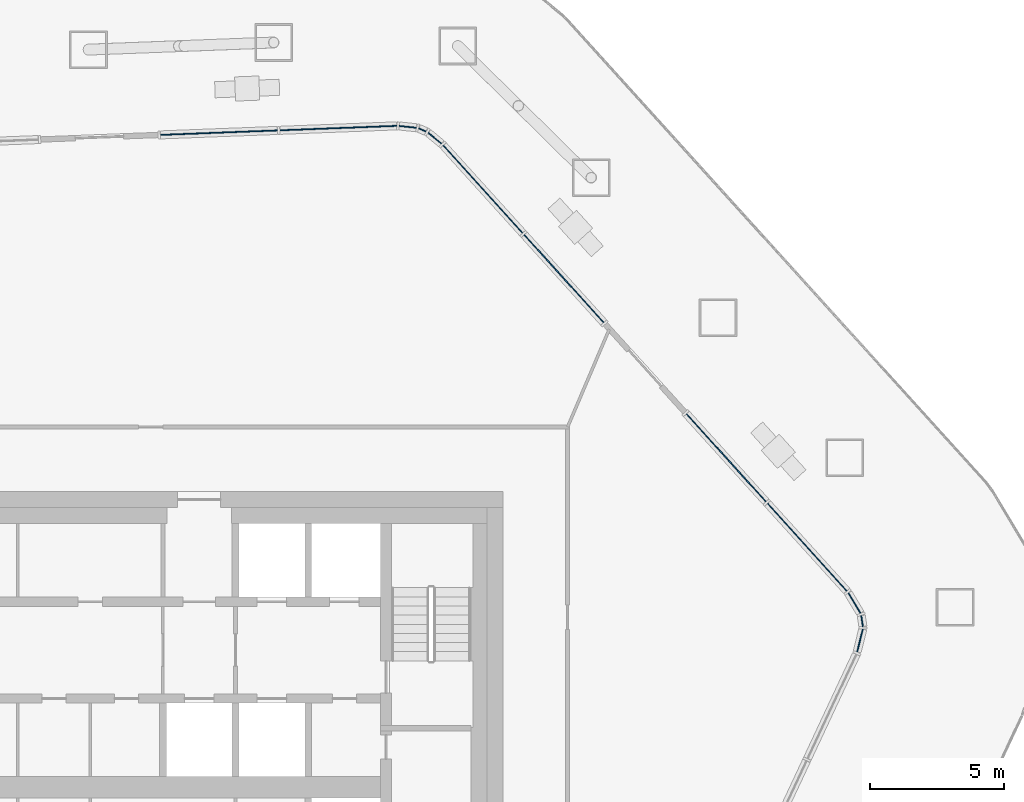
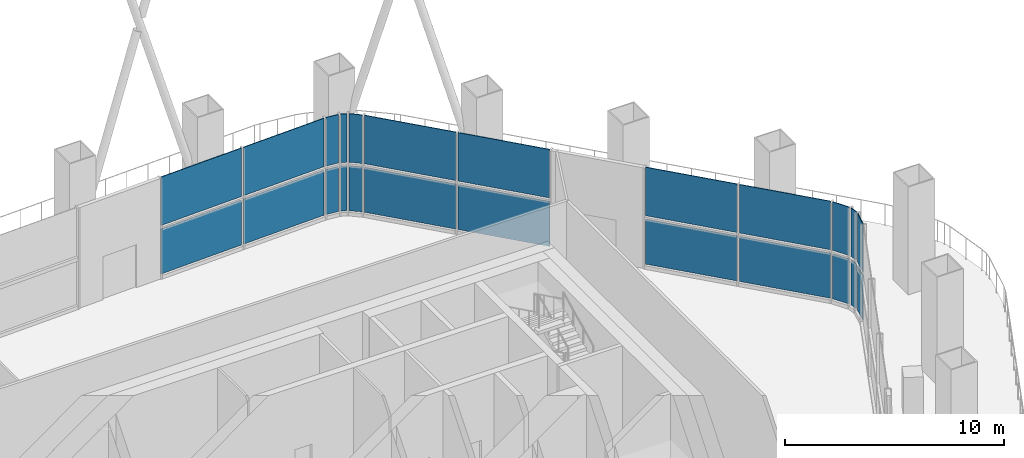
# One storey, part 11 of 20: 24 plates, 5 elements without a shape of their own.
"""IFC4 building model written with IfcOpenShell, lengths in metres."""

from ifc_helpers import new_model, si_unit, direction, frame, origin, origin_2d, place, context, subcontext, project, spatial, rectangle, extrude, material, layer, layer_set, type_object, element, aggregate, save


model = new_model("IFC4")

# Units and contexts
model_context = context("Model", 3, precision=1e-05, world=origin(), true_north=direction((0.0, 1.0)))
body_context = subcontext(model_context, "Body", "Model", "MODEL_VIEW")
ifc_project = project(units=[si_unit("LENGTHUNIT", "METRE"), si_unit("AREAUNIT", "SQUARE_METRE"), si_unit("VOLUMEUNIT", "CUBIC_METRE"), si_unit("PLANEANGLEUNIT", "RADIAN"), si_unit("MASSUNIT", "GRAM", prefix="KILO")], contexts=[model_context])

# Site, building, storey
site_placement = place(None, origin())
site = spatial("IfcSite", under=ifc_project, at=site_placement, CompositionType="ELEMENT")
building_placement = place(site_placement, origin())
building = spatial("IfcBuilding", under=site, at=building_placement, Name="Dongbaek Canopy Tower", CompositionType="ELEMENT")
storey_placement = place(building_placement, frame((0.0, 0.0, 353.0)))
storey = spatial("IfcBuildingStorey", under=building, at=storey_placement, Name="L76", CompositionType="ELEMENT", Elevation=353.0)

# Curtain wall, plates
ifc_material_1 = material(Name="Aluminium 6063-T6 pale anodised", Category="aluminium")
ifc_layer_1 = layer(ifc_material_1, 0.300048828125)
ifc_layer_set_1 = layer_set([ifc_layer_1], Name="CW-5 observation lounge curtain wall")
curtain_wall_type = type_object("IfcCurtainWallType", Name="CW-5 observation lounge curtain wall", PredefinedType="NOTDEFINED", material=ifc_layer_set_1)
curtain_wall_1_placement = place(storey_placement, origin())
curtain_wall_1 = element("IfcCurtainWall", 1, at=curtain_wall_1_placement, inside=storey, type_object=curtain_wall_type, Name="CW-5 curtain wall F0.1", PredefinedType="NOTDEFINED")
ifc_material_2 = material(Name="Clear laminated glass", Category="glass")
ifc_layer_2 = layer(ifc_material_2, 0.0400390625)
ifc_layer_set_2 = layer_set([ifc_layer_2], Name="CW-5 glazed panel 40")
plate_type = type_object("IfcPlateType", Name="CW-5 glazed panel 40", PredefinedType="CURTAIN_PANEL", material=ifc_layer_set_2)
plate_1_placement = place(storey_placement, frame((25.30712890625, 8.923828125, 0.199951171875), z_axis=(0.0, 0.0, 1.0), x_axis=(-0.671259709872, 0.741222235165, 0.0)))
plate_1 = element("IfcPlate", 2, at=plate_1_placement, type_object=plate_type, Name="CW-5 panel F0.1.1.1", PredefinedType="CURTAIN_PANEL", context=body_context, shape_type="SweptSolid", body=[
    extrude(rectangle(XDim=4.378662109375, YDim=0.0400390625, at=origin_2d()), origin(), (0.0, 0.0, 1.0), 2.5),
])
plate_2_placement = place(storey_placement, frame((25.30712890625, 8.923828125, 2.89990234375), z_axis=(0.0, 0.0, 1.0), x_axis=(-0.671259709872, 0.741222235165, 0.0)))
plate_2 = element("IfcPlate", 3, at=plate_2_placement, type_object=plate_type, Name="CW-5 panel F0.1.1.2", PredefinedType="CURTAIN_PANEL", context=body_context, shape_type="SweptSolid", body=[
    extrude(rectangle(XDim=4.378662109375, YDim=0.0400390625, at=origin_2d()), origin(), (0.0, 0.0, 1.0), 2.699951171875),
])
plate_3_placement = place(storey_placement, frame((22.294677734375, 12.250244140625, 0.199951171875), z_axis=(0.0, 0.0, 1.0), x_axis=(-0.671259709872, 0.741222235165, 0.0)))
plate_3 = element("IfcPlate", 4, at=plate_3_placement, type_object=plate_type, Name="CW-5 panel F0.1.2.1", PredefinedType="CURTAIN_PANEL", context=body_context, shape_type="SweptSolid", body=[
    extrude(rectangle(XDim=4.388427734375, YDim=0.0400390625, at=origin_2d()), origin(), (0.0, 0.0, 1.0), 2.5),
])
plate_4_placement = place(storey_placement, frame((22.294677734375, 12.250244140625, 2.89990234375), z_axis=(0.0, 0.0, 1.0), x_axis=(-0.671259709872, 0.741222235165, 0.0)))
plate_4 = element("IfcPlate", 5, at=plate_4_placement, type_object=plate_type, Name="CW-5 panel F0.1.2.2", PredefinedType="CURTAIN_PANEL", context=body_context, shape_type="SweptSolid", body=[
    extrude(rectangle(XDim=4.388427734375, YDim=0.0400390625, at=origin_2d()), origin(), (0.0, 0.0, 1.0), 2.699951171875),
])
aggregate(curtain_wall_1, [plate_1, plate_2, plate_3, plate_4])

curtain_wall_2_placement = place(storey_placement, origin())
curtain_wall_2 = element("IfcCurtainWall", 6, at=curtain_wall_2_placement, inside=storey, type_object=curtain_wall_type, Name="CW-5 curtain wall F0.2", PredefinedType="NOTDEFINED")
plate_5_placement = place(storey_placement, frame((16.263427734375, 18.91015625, 0.199951171875), z_axis=(0.0, 0.0, 1.0), x_axis=(-0.671259709872, 0.741222235165, 0.0)))
plate_5 = element("IfcPlate", 7, at=plate_5_placement, type_object=plate_type, Name="CW-5 panel F0.2.1.1", PredefinedType="CURTAIN_PANEL", context=body_context, shape_type="SweptSolid", body=[
    extrude(rectangle(XDim=4.388427734375, YDim=0.0400390625, at=origin_2d()), origin(), (0.0, 0.0, 1.0), 2.5),
])
plate_6_placement = place(storey_placement, frame((16.263427734375, 18.91015625, 2.89990234375), z_axis=(0.0, 0.0, 1.0), x_axis=(-0.671259709872, 0.741222235165, 0.0)))
plate_6 = element("IfcPlate", 8, at=plate_6_placement, type_object=plate_type, Name="CW-5 panel F0.2.1.2", PredefinedType="CURTAIN_PANEL", context=body_context, shape_type="SweptSolid", body=[
    extrude(rectangle(XDim=4.388427734375, YDim=0.0400390625, at=origin_2d()), origin(), (0.0, 0.0, 1.0), 2.699951171875),
])
plate_7_placement = place(storey_placement, frame((13.250244140625, 22.2373046875, 0.199951171875), z_axis=(0.0, 0.0, 1.0), x_axis=(-0.671259709872, 0.741222235165, 0.0)))
plate_7 = element("IfcPlate", 9, at=plate_7_placement, type_object=plate_type, Name="CW-5 panel F0.2.2.1", PredefinedType="CURTAIN_PANEL", context=body_context, shape_type="SweptSolid", body=[
    extrude(rectangle(XDim=4.38134765625, YDim=0.0400390625, at=origin_2d()), origin(), (0.0, 0.0, 1.0), 2.5),
])
plate_8_placement = place(storey_placement, frame((13.250244140625, 22.2373046875, 2.89990234375), z_axis=(0.0, 0.0, 1.0), x_axis=(-0.671259709872, 0.741222235165, 0.0)))
plate_8 = element("IfcPlate", 10, at=plate_8_placement, type_object=plate_type, Name="CW-5 panel F0.2.2.2", PredefinedType="CURTAIN_PANEL", context=body_context, shape_type="SweptSolid", body=[
    extrude(rectangle(XDim=4.38134765625, YDim=0.0400390625, at=origin_2d()), origin(), (0.0, 0.0, 1.0), 2.699951171875),
])
aggregate(curtain_wall_2, [plate_5, plate_6, plate_7, plate_8])

curtain_wall_3_placement = place(storey_placement, origin())
curtain_wall_3 = element("IfcCurtainWall", 11, at=curtain_wall_3_placement, inside=storey, type_object=curtain_wall_type, Name="CW-5 curtain wall K0.1", PredefinedType="NOTDEFINED")
plate_9_placement = place(storey_placement, frame((11.462890625, 24.132080078125, 0.199951171875), z_axis=(0.0, 0.0, 1.0), x_axis=(-0.771648592519, 0.636049093753, 0.0)))
plate_9 = element("IfcPlate", 12, at=plate_9_placement, type_object=plate_type, Name="CW-5 panel K0.1.1.1", PredefinedType="CURTAIN_PANEL", context=body_context, shape_type="SweptSolid", body=[
    extrude(rectangle(XDim=0.626708984375, YDim=0.0400390625, at=origin_2d()), origin(), (0.0, 0.0, 1.0), 2.5),
])
plate_10_placement = place(storey_placement, frame((11.462890625, 24.132080078125, 2.89990234375), z_axis=(0.0, 0.0, 1.0), x_axis=(-0.771648592519, 0.636049093753, 0.0)))
plate_10 = element("IfcPlate", 13, at=plate_10_placement, type_object=plate_type, Name="CW-5 panel K0.1.1.2", PredefinedType="CURTAIN_PANEL", context=body_context, shape_type="SweptSolid", body=[
    extrude(rectangle(XDim=0.626708984375, YDim=0.0400390625, at=origin_2d()), origin(), (0.0, 0.0, 1.0), 2.699951171875),
])
plate_11_placement = place(storey_placement, frame((11.00048828125, 24.4404296875, 0.199951171875), z_axis=(0.0, 0.0, 1.0), x_axis=(-0.921712245294, 0.387874382856, 0.0)))
plate_11 = element("IfcPlate", 14, at=plate_11_placement, type_object=plate_type, Name="CW-5 panel K0.1.2.1", PredefinedType="CURTAIN_PANEL", context=body_context, shape_type="SweptSolid", body=[
    extrude(rectangle(XDim=0.287841796875, YDim=0.0400390625, at=origin_2d()), origin(), (0.0, 0.0, 1.0), 2.5),
])
plate_12_placement = place(storey_placement, frame((11.00048828125, 24.4404296875, 2.89990234375), z_axis=(0.0, 0.0, 1.0), x_axis=(-0.921712245294, 0.387874382856, 0.0)))
plate_12 = element("IfcPlate", 15, at=plate_12_placement, type_object=plate_type, Name="CW-5 panel K0.1.2.2", PredefinedType="CURTAIN_PANEL", context=body_context, shape_type="SweptSolid", body=[
    extrude(rectangle(XDim=0.287841796875, YDim=0.0400390625, at=origin_2d()), origin(), (0.0, 0.0, 1.0), 2.699951171875),
])
plate_13_placement = place(storey_placement, frame((10.456787109375, 24.555419921875, 0.199951171875), z_axis=(0.0, 0.0, 1.0), x_axis=(-0.994251037974, 0.107074149488, 0.0)))
plate_13 = element("IfcPlate", 16, at=plate_13_placement, type_object=plate_type, Name="CW-5 panel K0.1.3.1", PredefinedType="CURTAIN_PANEL", context=body_context, shape_type="SweptSolid", body=[
    extrude(rectangle(XDim=0.626708984375, YDim=0.0400390625, at=origin_2d()), origin(), (0.0, 0.0, 1.0), 2.5),
])
plate_14_placement = place(storey_placement, frame((10.456787109375, 24.555419921875, 2.89990234375), z_axis=(0.0, 0.0, 1.0), x_axis=(-0.994251037974, 0.107074149488, 0.0)))
plate_14 = element("IfcPlate", 17, at=plate_14_placement, type_object=plate_type, Name="CW-5 panel K0.1.3.2", PredefinedType="CURTAIN_PANEL", context=body_context, shape_type="SweptSolid", body=[
    extrude(rectangle(XDim=0.626708984375, YDim=0.0400390625, at=origin_2d()), origin(), (0.0, 0.0, 1.0), 2.699951171875),
])
aggregate(curtain_wall_3, [plate_9, plate_10, plate_11, plate_12, plate_13, plate_14])

curtain_wall_4_placement = place(storey_placement, origin())
curtain_wall_4 = element("IfcCurtainWall", 18, at=curtain_wall_4_placement, inside=storey, type_object=curtain_wall_type, Name="CW-5 curtain wall F1.1", PredefinedType="NOTDEFINED")
plate_15_placement = place(storey_placement, frame((7.875, 24.509765625, 0.199951171875), z_axis=(0.0, 0.0, 1.0), x_axis=(-0.999268890918, -0.038231971473, 0.0)))
plate_15 = element("IfcPlate", 19, at=plate_15_placement, type_object=plate_type, Name="CW-5 panel F1.1.1.1", PredefinedType="CURTAIN_PANEL", context=body_context, shape_type="SweptSolid", body=[
    extrude(rectangle(XDim=4.3359375, YDim=0.0400390625, at=origin_2d()), origin(), (0.0, 0.0, 1.0), 2.5),
])
plate_16_placement = place(storey_placement, frame((7.875, 24.509765625, 2.89990234375), z_axis=(0.0, 0.0, 1.0), x_axis=(-0.999268890918, -0.038231971473, 0.0)))
plate_16 = element("IfcPlate", 20, at=plate_16_placement, type_object=plate_type, Name="CW-5 panel F1.1.1.2", PredefinedType="CURTAIN_PANEL", context=body_context, shape_type="SweptSolid", body=[
    extrude(rectangle(XDim=4.3359375, YDim=0.0400390625, at=origin_2d()), origin(), (0.0, 0.0, 1.0), 2.699951171875),
])
plate_17_placement = place(storey_placement, frame((3.4345703125, 24.33984375, 0.199951171875), z_axis=(0.0, 0.0, 1.0), x_axis=(-0.999268890918, -0.038231971473, 0.0)))
plate_17 = element("IfcPlate", 21, at=plate_17_placement, type_object=plate_type, Name="CW-5 panel F1.1.2.1", PredefinedType="CURTAIN_PANEL", context=body_context, shape_type="SweptSolid", body=[
    extrude(rectangle(XDim=4.34326171875, YDim=0.0400390625, at=origin_2d()), origin(), (0.0, 0.0, 1.0), 2.5),
])
plate_18_placement = place(storey_placement, frame((3.4345703125, 24.33984375, 2.89990234375), z_axis=(0.0, 0.0, 1.0), x_axis=(-0.999268890918, -0.038231971473, 0.0)))
plate_18 = element("IfcPlate", 22, at=plate_18_placement, type_object=plate_type, Name="CW-5 panel F1.1.2.2", PredefinedType="CURTAIN_PANEL", context=body_context, shape_type="SweptSolid", body=[
    extrude(rectangle(XDim=4.34326171875, YDim=0.0400390625, at=origin_2d()), origin(), (0.0, 0.0, 1.0), 2.699951171875),
])
aggregate(curtain_wall_4, [plate_15, plate_16, plate_17, plate_18])

curtain_wall_5_placement = place(storey_placement, origin())
curtain_wall_5 = element("IfcCurtainWall", 23, at=curtain_wall_5_placement, inside=storey, type_object=curtain_wall_type, Name="CW-5 curtain wall K5.1", PredefinedType="NOTDEFINED")
plate_19_placement = place(storey_placement, frame((27.269775390625, 5.456298828125, 0.199951171875), z_axis=(0.0, 0.0, 1.0), x_axis=(0.239978410502, 0.970778225185, 0.0)))
plate_19 = element("IfcPlate", 24, at=plate_19_placement, type_object=plate_type, Name="CW-5 panel K5.1.1.1", PredefinedType="CURTAIN_PANEL", context=body_context, shape_type="SweptSolid", body=[
    extrude(rectangle(XDim=0.86572265625, YDim=0.0400390625, at=origin_2d()), origin(), (0.0, 0.0, 1.0), 2.5),
])
plate_20_placement = place(storey_placement, frame((27.269775390625, 5.456298828125, 2.89990234375), z_axis=(0.0, 0.0, 1.0), x_axis=(0.239978410502, 0.970778225185, 0.0)))
plate_20 = element("IfcPlate", 25, at=plate_20_placement, type_object=plate_type, Name="CW-5 panel K5.1.1.2", PredefinedType="CURTAIN_PANEL", context=body_context, shape_type="SweptSolid", body=[
    extrude(rectangle(XDim=0.86572265625, YDim=0.0400390625, at=origin_2d()), origin(), (0.0, 0.0, 1.0), 2.699951171875),
])
plate_21_placement = place(storey_placement, frame((27.34814453125, 6.178955078125, 0.199951171875), z_axis=(0.0, 0.0, 1.0), x_axis=(-0.148407589382, 0.98892628007, 0.0)))
plate_21 = element("IfcPlate", 26, at=plate_21_placement, type_object=plate_type, Name="CW-5 panel K5.1.2.1", PredefinedType="CURTAIN_PANEL", context=body_context, shape_type="SweptSolid", body=[
    extrude(rectangle(XDim=0.405517578125, YDim=0.0400390625, at=origin_2d()), origin(), (0.0, 0.0, 1.0), 2.5),
])
plate_22_placement = place(storey_placement, frame((27.34814453125, 6.178955078125, 2.89990234375), z_axis=(0.0, 0.0, 1.0), x_axis=(-0.148407589382, 0.98892628007, 0.0)))
plate_22 = element("IfcPlate", 27, at=plate_22_placement, type_object=plate_type, Name="CW-5 panel K5.1.2.2", PredefinedType="CURTAIN_PANEL", context=body_context, shape_type="SweptSolid", body=[
    extrude(rectangle(XDim=0.405517578125, YDim=0.0400390625, at=origin_2d()), origin(), (0.0, 0.0, 1.0), 2.699951171875),
])
plate_23_placement = place(storey_placement, frame((27.06103515625, 6.8466796875, 0.199951171875), z_axis=(0.0, 0.0, 1.0), x_axis=(-0.514356546686, 0.857576435591, 0.0)))
plate_23 = element("IfcPlate", 28, at=plate_23_placement, type_object=plate_type, Name="CW-5 panel K5.1.3.1", PredefinedType="CURTAIN_PANEL", context=body_context, shape_type="SweptSolid", body=[
    extrude(rectangle(XDim=0.86572265625, YDim=0.0400390625, at=origin_2d()), origin(), (0.0, 0.0, 1.0), 2.5),
])
plate_24_placement = place(storey_placement, frame((27.06103515625, 6.8466796875, 2.89990234375), z_axis=(0.0, 0.0, 1.0), x_axis=(-0.514356546686, 0.857576435591, 0.0)))
plate_24 = element("IfcPlate", 29, at=plate_24_placement, type_object=plate_type, Name="CW-5 panel K5.1.3.2", PredefinedType="CURTAIN_PANEL", context=body_context, shape_type="SweptSolid", body=[
    extrude(rectangle(XDim=0.86572265625, YDim=0.0400390625, at=origin_2d()), origin(), (0.0, 0.0, 1.0), 2.699951171875),
])
aggregate(curtain_wall_5, [plate_19, plate_20, plate_21, plate_22, plate_23, plate_24])

save(model, "model.ifc")
